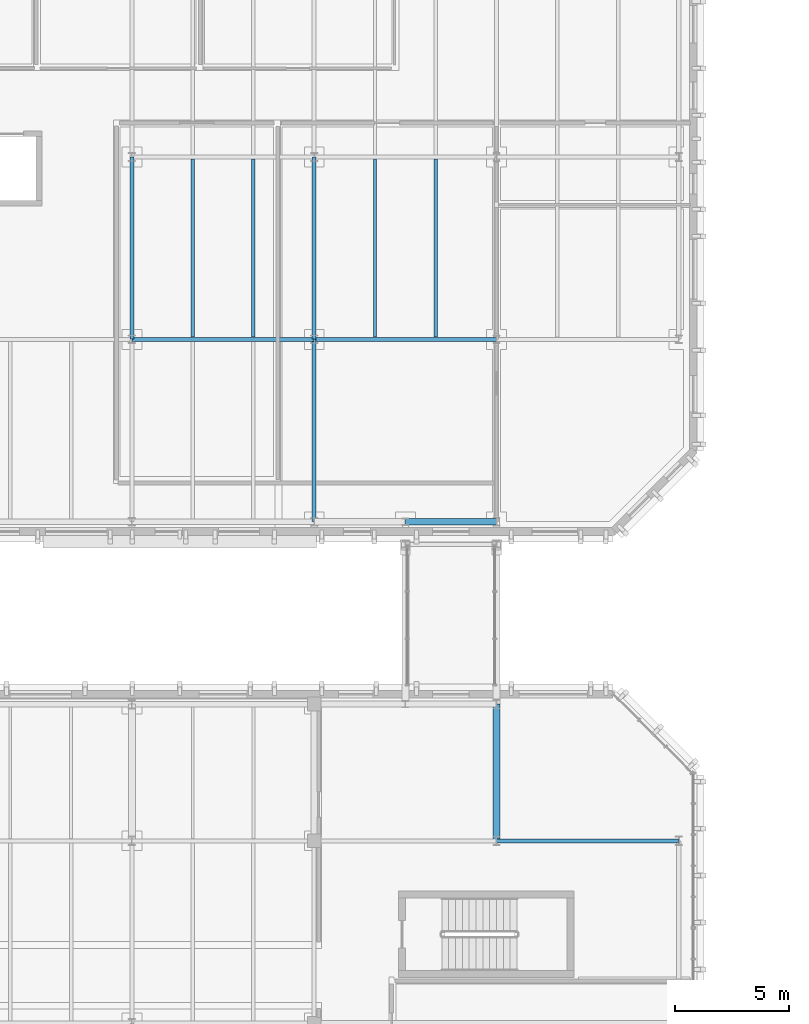
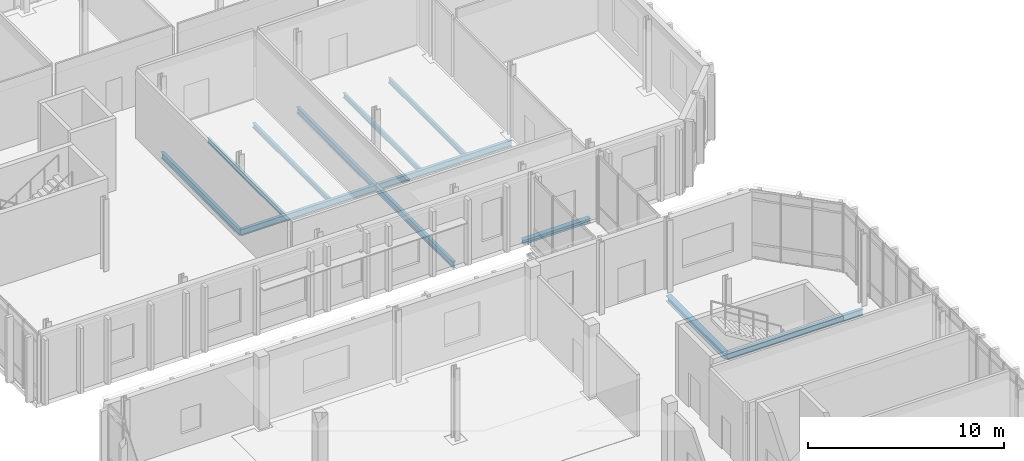
# One storey, part 33 of 86: 12 beams.
"""IFC4 building model written with IfcOpenShell, lengths in metres."""

from ifc_helpers import new_model, si_unit, direction, frame, origin, origin_2d, place, context, subcontext, project, spatial, i_section, extrude, material, material_profile, profile_set, type_object, element, save


model = new_model("IFC4")

# Units and contexts
model_context = context("Model", 3, precision=1e-05, world=origin(), true_north=direction((0.0, 1.0)))
body_context = subcontext(model_context, "Body", "Model", "MODEL_VIEW")
ifc_project = project(units=[si_unit("LENGTHUNIT", "METRE"), si_unit("AREAUNIT", "SQUARE_METRE"), si_unit("VOLUMEUNIT", "CUBIC_METRE"), si_unit("PLANEANGLEUNIT", "RADIAN"), si_unit("MASSUNIT", "GRAM", prefix="KILO")], contexts=[model_context])

# Site, building, storey
site_placement = place(None, origin())
site = spatial("IfcSite", under=ifc_project, at=site_placement, CompositionType="ELEMENT")
building_placement = place(site_placement, origin())
building = spatial("IfcBuilding", under=site, at=building_placement, Name="Cymarion Research Institute", CompositionType="ELEMENT")
storey_placement = place(building_placement, frame((0.0, 0.0, 13.800048828125)))
storey = spatial("IfcBuildingStorey", under=building, at=storey_placement, Name="L03", CompositionType="ELEMENT", Elevation=13.800048828125)

# Beams
ifc_material = material(Name="Steel S355", Category="steel")
ifc_material_profile_1 = material_profile(ifc_material, i_section(OverallWidth=0.179931640625, OverallDepth=0.39990234375, WebThickness=0.008544921875, FlangeThickness=0.013427734375, FilletRadius=0.02099609375, at=origin_2d()), Name="IPE 400")
ifc_profile_set_1 = profile_set([ifc_material_profile_1], Name="Steel S355")
beam_type_1 = type_object("IfcBeamType", Name="PRIMARY GIRDER BM05 IPE 400", PredefinedType="BEAM", material=ifc_profile_set_1)
for number, where, z_axis, x_axis, name in (
    (1, (38.60595703125, 71.5, -0.449951171875), (1.0, 0.0, 0.0), (0.0, 1.0, 0.0), "L03 V4 girder BM05 #1471"),
    (2, (22.60595703125, 93.5, -0.449951171875), (1.0, 0.0, 0.0), (0.0, 1.0, 0.0), "L03 V5 girder BM05 #1530"),
    (3, (30.60595703125, 93.5, -0.449951171875), (1.0, 0.0, 0.0), (0.0, 1.0, 0.0), "L03 V5 girder BM05 #1531"),
):
    element("IfcBeam", number, at=place(storey_placement, frame(where, z_axis=z_axis, x_axis=x_axis)), inside=storey, type_object=beam_type_1, Name=name, PredefinedType="BEAM", context=body_context, shape_type="SweptSolid", body=[
        extrude(i_section(OverallWidth=0.179931640625, OverallDepth=0.39990234375, WebThickness=0.008544921875, FlangeThickness=0.013427734375, FilletRadius=0.02099609375, at=origin_2d()), origin(), (0.0, 0.0, 1.0), 7.988037109375),
    ])
for number, where, z_axis, x_axis, name in (
    (4, (22.60009765625, 93.506103515625, -0.449951171875), (0.0, 1.0, 0.0), (-1.0, 0.0, 0.0), "L03 V5 girder BM05 #1553"),
    (5, (30.60009765625, 85.506103515625, -0.449951171875), (0.0, 1.0, 0.0), (-1.0, 0.0, 0.0), "L03 V5 girder BM05 #1556"),
    (6, (30.60009765625, 93.506103515625, -0.449951171875), (0.0, 1.0, 0.0), (-1.0, 0.0, 0.0), "L03 V5 girder BM05 #1557"),
):
    element("IfcBeam", number, at=place(storey_placement, frame(where, z_axis=z_axis, x_axis=x_axis)), inside=storey, type_object=beam_type_1, Name=name, PredefinedType="BEAM", context=body_context, shape_type="SweptSolid", body=[
        extrude(i_section(OverallWidth=0.179931640625, OverallDepth=0.39990234375, WebThickness=0.008544921875, FlangeThickness=0.013427734375, FilletRadius=0.02099609375, at=origin_2d()), origin(), (0.0, 0.0, 1.0), 7.98779296875),
    ])
ifc_material_profile_2 = material_profile(ifc_material, i_section(OverallWidth=0.300048828125, OverallDepth=0.35009765625, WebThickness=0.010009765625, FlangeThickness=0.017578125, FilletRadius=0.027099609375, at=origin_2d()), Name="HEA 360")
ifc_profile_set_2 = profile_set([ifc_material_profile_2], Name="Steel S355")
beam_type_2 = type_object("IfcBeamType", Name="PRIMARY GIRDER BM12 HEA 360", PredefinedType="BEAM", material=ifc_profile_set_2)
beam_1_placement = place(storey_placement, frame((38.60009765625, 71.506103515625, -0.425048828125), z_axis=(0.0, 1.0, 0.0), x_axis=(-1.0, 0.0, 0.0)))
element("IfcBeam", 7, at=beam_1_placement, inside=storey, type_object=beam_type_2, Name="L03 V4 girder BM12 #1495", PredefinedType="BEAM", context=body_context, shape_type="SweptSolid", body=[
    extrude(i_section(OverallWidth=0.300048828125, OverallDepth=0.35009765625, WebThickness=0.010009765625, FlangeThickness=0.017578125, FilletRadius=0.027099609375, at=origin_2d()), origin(), (0.0, 0.0, 1.0), 5.98779296875),
])
ifc_material_profile_3 = material_profile(ifc_material, i_section(OverallWidth=0.14990234375, OverallDepth=0.300048828125, WebThickness=0.007080078125, FlangeThickness=0.0107421875, FilletRadius=0.014892578125, at=origin_2d()), Name="IPE 300")
ifc_profile_set_3 = profile_set([ifc_material_profile_3], Name="Steel S355")
beam_type_3 = type_object("IfcBeamType", Name="SECONDARY JOIST JS02 IPE 300", PredefinedType="JOIST", material=ifc_profile_set_3)
for number, where, z_axis, x_axis, name in (
    (8, (25.2666015625, 93.593994140625, -0.400146484375), (0.0, 1.0, 0.0), (-1.0, 0.0, 0.0), "L03 V5 secondary joist JS02 #1572"),
    (9, (27.933349609375, 93.593994140625, -0.400146484375), (0.0, 1.0, 0.0), (-1.0, 0.0, 0.0), "L03 V5 secondary joist JS02 #1573"),
    (10, (33.2666015625, 93.593994140625, -0.400146484375), (0.0, 1.0, 0.0), (-1.0, 0.0, 0.0), "L03 V5 secondary joist JS02 #1574"),
    (11, (35.933349609375, 93.593994140625, -0.400146484375), (0.0, 1.0, 0.0), (-1.0, 0.0, 0.0), "L03 V5 secondary joist JS02 #1575"),
):
    element("IfcBeam", number, at=place(storey_placement, frame(where, z_axis=z_axis, x_axis=x_axis)), inside=storey, type_object=beam_type_3, Name=name, PredefinedType="JOIST", context=body_context, shape_type="SweptSolid", body=[
        extrude(i_section(OverallWidth=0.14990234375, OverallDepth=0.300048828125, WebThickness=0.007080078125, FlangeThickness=0.0107421875, FilletRadius=0.014892578125, at=origin_2d()), origin(), (0.0, 0.0, 1.0), 7.81201171875),
    ])
ifc_material_profile_4 = material_profile(ifc_material, i_section(OverallWidth=0.280029296875, OverallDepth=0.27001953125, WebThickness=0.008056640625, FlangeThickness=0.012939453125, FilletRadius=0.02392578125, at=origin_2d()), Name="HEA 280")
ifc_profile_set_4 = profile_set([ifc_material_profile_4], Name="Steel S355")
beam_type_4 = type_object("IfcBeamType", Name="SPANDREL BEAM SPB02 HEA 280", PredefinedType="SPANDREL", material=ifc_profile_set_4)
beam_2_placement = place(storey_placement, frame((34.60595703125, 85.5, -0.385009765625), z_axis=(1.0, 0.0, 0.0), x_axis=(0.0, 1.0, 0.0)))
element("IfcBeam", 12, at=beam_2_placement, inside=storey, type_object=beam_type_4, Name="L03 V5 girder SPB02 #1527", PredefinedType="SPANDREL", context=body_context, shape_type="SweptSolid", body=[
    extrude(i_section(OverallWidth=0.280029296875, OverallDepth=0.27001953125, WebThickness=0.008056640625, FlangeThickness=0.012939453125, FilletRadius=0.02392578125, at=origin_2d()), origin(), (0.0, 0.0, 1.0), 3.988037109375),
])

save(model, "model.ifc")
